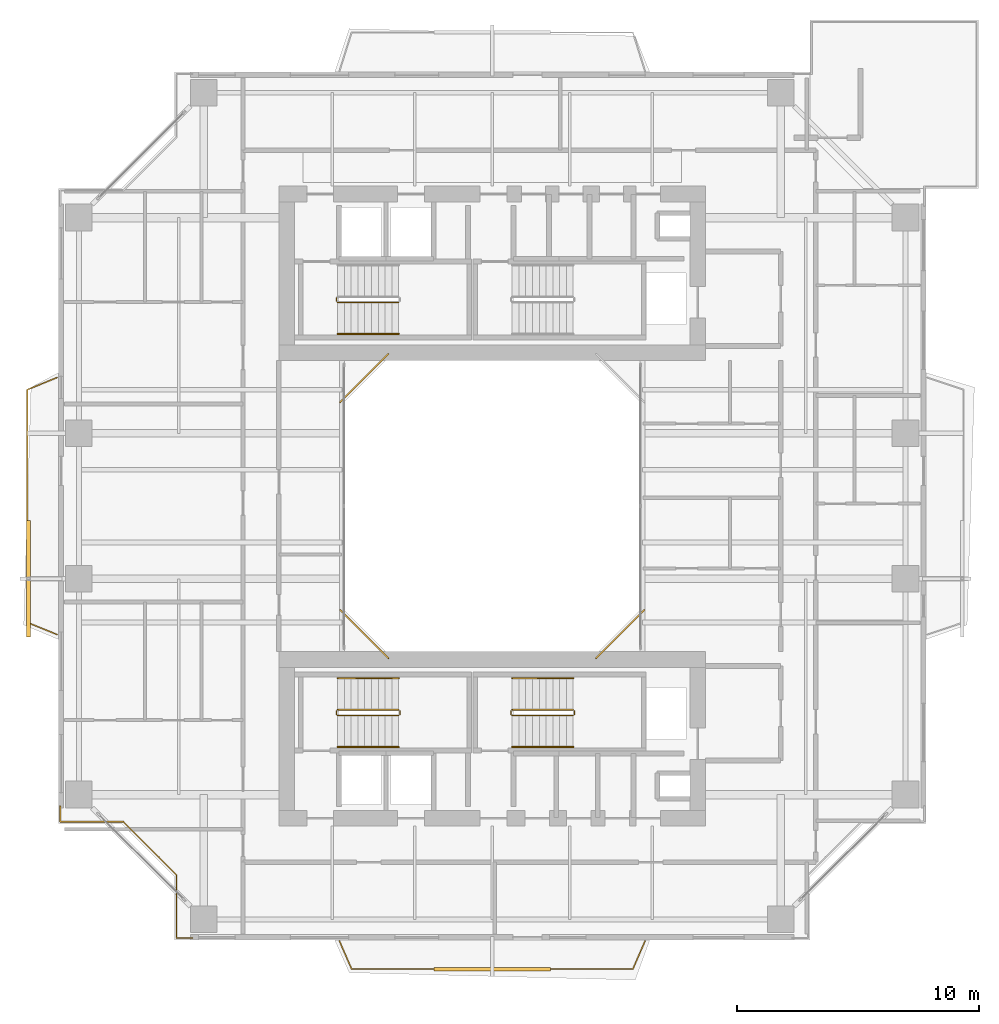
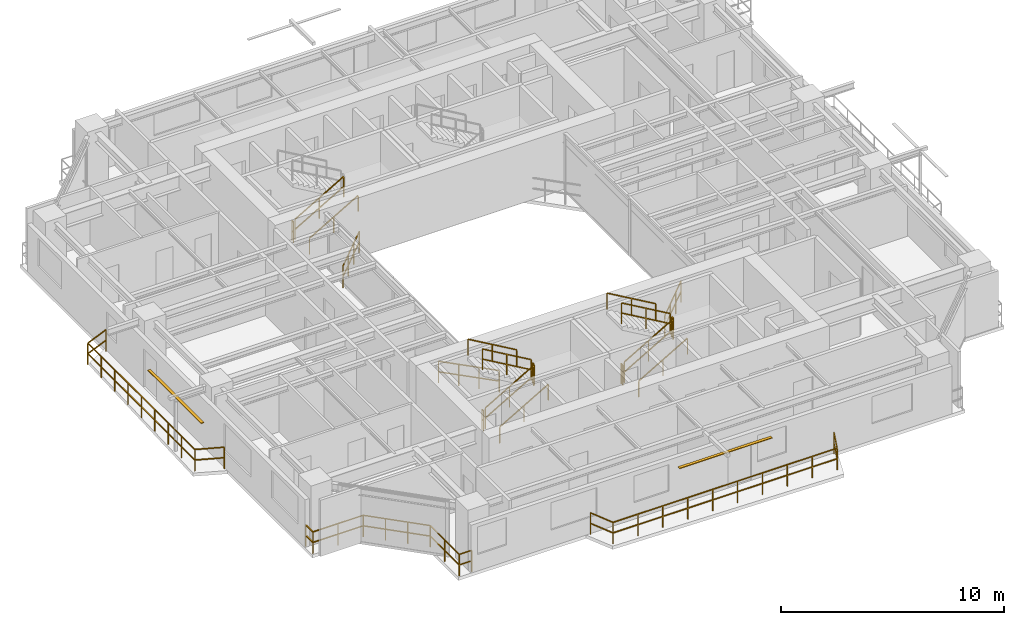
# One storey, part 15 of 17: 21 railings, 2 shading devices.
"""IFC4 building model written with IfcOpenShell, lengths in metres."""

from ifc_helpers import new_model, si_unit, direction, frame, origin, origin_2d, place, context, subcontext, project, spatial, rectangle, extrude, source, transform, mapped, material, material_profile, profile_set, type_object, element, save


model = new_model("IFC4")

# Units and contexts
model_context = context("Model", 3, precision=1e-05, world=origin(), true_north=direction((0.0, 1.0)))
body_context = subcontext(model_context, "Body", "Model", "MODEL_VIEW")
ifc_project = project(units=[si_unit("LENGTHUNIT", "METRE"), si_unit("AREAUNIT", "SQUARE_METRE"), si_unit("VOLUMEUNIT", "CUBIC_METRE"), si_unit("PLANEANGLEUNIT", "RADIAN"), si_unit("MASSUNIT", "GRAM", prefix="KILO"), si_unit("THERMODYNAMICTEMPERATUREUNIT", "KELVIN"), si_unit("POWERUNIT", "WATT")], contexts=[model_context])

# Site, building, storey
site_placement = place(None, origin())
site = spatial("IfcSite", under=ifc_project, at=site_placement, CompositionType="ELEMENT")
building_placement = place(site_placement, origin())
building = spatial("IfcBuilding", under=site, at=building_placement, Name="Qiaomeng Ring Towers", CompositionType="ELEMENT")
storey_placement = place(building_placement, frame((0.0, 0.0, 123.0)))
storey = spatial("IfcBuildingStorey", under=building, at=storey_placement, Name="L35", CompositionType="ELEMENT", Elevation=123.0)

# Railings
ifc_material_1 = material(Name="Low-E pale-green laminated safety glass", Category="glass")
railing_type_1 = type_object("IfcRailingType", Name="ARC-RL-BAL1", PredefinedType="BALUSTRADE", material=ifc_material_1)
railing_1_placement = place(storey_placement, frame((23.280029296875, 16.719970703125, 0.0)))
element("IfcRailing", 1, at=railing_1_placement, inside=storey, type_object=railing_type_1, Name="L35 Balustrade ARC-BAL-WELL1-L35-1", PredefinedType="BALUSTRADE", context=body_context, shape_type="SweptSolid", body=[
    extrude(rectangle(XDim=0.048095703125, YDim=0.048095703125, at=origin_2d()), frame((0.0, 0.0, 1.17578125), z_axis=(0.707106781187, 0.707106781187, 0.0), x_axis=(-0.707106781187, 0.707106781187, 0.0)), (0.0, 0.0, 1.0), 2.828369140625),
    extrude(rectangle(XDim=0.048095703125, YDim=0.048095703125, at=origin_2d()), frame((0.0, 0.0, 0.60009765625), z_axis=(0.707106781187, 0.707106781187, 0.0), x_axis=(-0.707106781187, 0.707106781187, 0.0)), (0.0, 0.0, 1.0), 2.828369140625),
    extrude(rectangle(XDim=0.0419921875, YDim=0.0419921875, at=origin_2d()), origin(), (0.0, 0.0, 1.0), 1.15185546875),
    extrude(rectangle(XDim=0.0419921875, YDim=0.0419921875, at=origin_2d()), frame((0.666748046875, 0.666748046875, 0.0)), (0.0, 0.0, 1.0), 1.15185546875),
    extrude(rectangle(XDim=0.0419921875, YDim=0.0419921875, at=origin_2d()), frame((1.333251953125, 1.333251953125, 0.0)), (0.0, 0.0, 1.0), 1.15185546875),
    extrude(rectangle(XDim=0.0419921875, YDim=0.0419921875, at=origin_2d()), frame((2.0, 2.0, 0.0)), (0.0, 0.0, 1.0), 1.15185546875),
])
railing_2_placement = place(storey_placement, frame((14.719970703125, 29.280029296875, 0.0)))
element("IfcRailing", 2, at=railing_2_placement, inside=storey, type_object=railing_type_1, Name="L35 Balustrade ARC-BAL-WELL1-L35-3", PredefinedType="BALUSTRADE", context=body_context, shape_type="SweptSolid", body=[
    extrude(rectangle(XDim=0.048095703125, YDim=0.048095703125, at=origin_2d()), frame((0.0, 0.0, 1.17578125), z_axis=(-0.707106781187, -0.707106781187, 0.0), x_axis=(0.707106781187, -0.707106781187, 0.0)), (0.0, 0.0, 1.0), 2.828369140625),
    extrude(rectangle(XDim=0.048095703125, YDim=0.048095703125, at=origin_2d()), frame((0.0, 0.0, 0.60009765625), z_axis=(-0.707106781187, -0.707106781187, 0.0), x_axis=(0.707106781187, -0.707106781187, 0.0)), (0.0, 0.0, 1.0), 2.828369140625),
    extrude(rectangle(XDim=0.0419921875, YDim=0.0419921875, at=origin_2d()), origin(), (0.0, 0.0, 1.0), 1.15185546875),
    extrude(rectangle(XDim=0.0419921875, YDim=0.0419921875, at=origin_2d()), frame((-0.666748046875, -0.666748046875, 0.0)), (0.0, 0.0, 1.0), 1.15185546875),
    extrude(rectangle(XDim=0.0419921875, YDim=0.0419921875, at=origin_2d()), frame((-1.333251953125, -1.333251953125, 0.0)), (0.0, 0.0, 1.0), 1.15185546875),
    extrude(rectangle(XDim=0.0419921875, YDim=0.0419921875, at=origin_2d()), frame((-2.0, -2.0, 0.0)), (0.0, 0.0, 1.0), 1.15185546875),
])
railing_3_placement = place(storey_placement, frame((12.719970703125, 18.719970703125, 0.0)))
element("IfcRailing", 3, at=railing_3_placement, inside=storey, type_object=railing_type_1, Name="L35 Balustrade ARC-BAL-WELL1-L35-4", PredefinedType="BALUSTRADE", context=body_context, shape_type="SweptSolid", body=[
    extrude(rectangle(XDim=0.048095703125, YDim=0.048095703125, at=origin_2d()), frame((0.0, 0.0, 1.17578125), z_axis=(0.707106781187, -0.707106781187, 0.0), x_axis=(0.707106781187, 0.707106781187, 0.0)), (0.0, 0.0, 1.0), 2.828369140625),
    extrude(rectangle(XDim=0.048095703125, YDim=0.048095703125, at=origin_2d()), frame((0.0, 0.0, 0.60009765625), z_axis=(0.707106781187, -0.707106781187, 0.0), x_axis=(0.707106781187, 0.707106781187, 0.0)), (0.0, 0.0, 1.0), 2.828369140625),
    extrude(rectangle(XDim=0.0419921875, YDim=0.0419921875, at=origin_2d()), origin(), (0.0, 0.0, 1.0), 1.15185546875),
    extrude(rectangle(XDim=0.0419921875, YDim=0.0419921875, at=origin_2d()), frame((0.666748046875, -0.666748046875, 0.0)), (0.0, 0.0, 1.0), 1.15185546875),
    extrude(rectangle(XDim=0.0419921875, YDim=0.0419921875, at=origin_2d()), frame((1.333251953125, -1.333251953125, 0.0)), (0.0, 0.0, 1.0), 1.15185546875),
    extrude(rectangle(XDim=0.0419921875, YDim=0.0419921875, at=origin_2d()), frame((2.0, -2.0, 0.0)), (0.0, 0.0, 1.0), 1.15185546875),
])
railing_4_placement = place(storey_placement, frame((1.179931640625, 10.6298828125, 0.0)))
element("IfcRailing", 4, at=railing_4_placement, inside=storey, type_object=railing_type_1, Name="L35 Balustrade ARC-BAL-NOTCH1-L35-SW", PredefinedType="BALUSTRADE", context=body_context, shape_type="SweptSolid", body=[
    extrude(rectangle(XDim=0.048095703125, YDim=0.048095703125, at=origin_2d()), frame((0.0, 0.0, 1.17578125), z_axis=(0.0, -1.0, 0.0), x_axis=(1.0, 0.0, 0.0)), (0.0, 0.0, 1.0), 0.64990234375),
    extrude(rectangle(XDim=0.048095703125, YDim=0.048095703125, at=origin_2d()), frame((0.0, 0.0, 0.60009765625), z_axis=(0.0, -1.0, 0.0), x_axis=(1.0, 0.0, 0.0)), (0.0, 0.0, 1.0), 0.64990234375),
    extrude(rectangle(XDim=0.048095703125, YDim=0.048095703125, at=origin_2d()), frame((0.0, -0.64990234375, 1.17578125), z_axis=(1.0, 0.0, 0.0), x_axis=(0.0, 1.0, 0.0)), (0.0, 0.0, 1.0), 2.60009765625),
    extrude(rectangle(XDim=0.048095703125, YDim=0.048095703125, at=origin_2d()), frame((0.0, -0.64990234375, 0.60009765625), z_axis=(1.0, 0.0, 0.0), x_axis=(0.0, 1.0, 0.0)), (0.0, 0.0, 1.0), 2.60009765625),
    extrude(rectangle(XDim=0.048095703125, YDim=0.048095703125, at=origin_2d()), frame((2.60009765625, -0.64990234375, 1.17578125), z_axis=(0.707106781187, -0.707106781187, 0.0), x_axis=(0.707106781187, 0.707106781187, 0.0)), (0.0, 0.0, 1.0), 3.111083984375),
    extrude(rectangle(XDim=0.048095703125, YDim=0.048095703125, at=origin_2d()), frame((2.60009765625, -0.64990234375, 0.60009765625), z_axis=(0.707106781187, -0.707106781187, 0.0), x_axis=(0.707106781187, 0.707106781187, 0.0)), (0.0, 0.0, 1.0), 3.111083984375),
    extrude(rectangle(XDim=0.048095703125, YDim=0.048095703125, at=origin_2d()), frame((4.800048828125, -2.849853515625, 1.17578125), z_axis=(0.0, -1.0, 0.0), x_axis=(1.0, 0.0, 0.0)), (0.0, 0.0, 1.0), 2.60009765625),
    extrude(rectangle(XDim=0.048095703125, YDim=0.048095703125, at=origin_2d()), frame((4.800048828125, -2.849853515625, 0.60009765625), z_axis=(0.0, -1.0, 0.0), x_axis=(1.0, 0.0, 0.0)), (0.0, 0.0, 1.0), 2.60009765625),
    extrude(rectangle(XDim=0.048095703125, YDim=0.048095703125, at=origin_2d()), frame((4.800048828125, -5.449951171875, 1.17578125), z_axis=(1.0, 0.0, 0.0), x_axis=(0.0, 1.0, 0.0)), (0.0, 0.0, 1.0), 0.64990234375),
    extrude(rectangle(XDim=0.048095703125, YDim=0.048095703125, at=origin_2d()), frame((4.800048828125, -5.449951171875, 0.60009765625), z_axis=(1.0, 0.0, 0.0), x_axis=(0.0, 1.0, 0.0)), (0.0, 0.0, 1.0), 0.64990234375),
    extrude(rectangle(XDim=0.0419921875, YDim=0.0419921875, at=origin_2d()), origin(), (0.0, 0.0, 1.0), 1.15185546875),
    extrude(rectangle(XDim=0.0419921875, YDim=0.0419921875, at=origin_2d()), frame((0.0, -0.64990234375, 0.0)), (0.0, 0.0, 1.0), 1.15185546875),
    extrude(rectangle(XDim=0.0419921875, YDim=0.0419921875, at=origin_2d()), frame((1.300048828125, -0.64990234375, 0.0)), (0.0, 0.0, 1.0), 1.15185546875),
    extrude(rectangle(XDim=0.0419921875, YDim=0.0419921875, at=origin_2d()), frame((2.60009765625, -0.64990234375, 0.0)), (0.0, 0.0, 1.0), 1.15185546875),
    extrude(rectangle(XDim=0.0419921875, YDim=0.0419921875, at=origin_2d()), frame((3.33349609375, -1.38330078125, 0.0)), (0.0, 0.0, 1.0), 1.15185546875),
    extrude(rectangle(XDim=0.0419921875, YDim=0.0419921875, at=origin_2d()), frame((4.066650390625, -2.116455078125, 0.0)), (0.0, 0.0, 1.0), 1.15185546875),
    extrude(rectangle(XDim=0.0419921875, YDim=0.0419921875, at=origin_2d()), frame((4.800048828125, -2.849853515625, 0.0)), (0.0, 0.0, 1.0), 1.15185546875),
    extrude(rectangle(XDim=0.0419921875, YDim=0.0419921875, at=origin_2d()), frame((4.800048828125, -4.14990234375, 0.0)), (0.0, 0.0, 1.0), 1.15185546875),
    extrude(rectangle(XDim=0.0419921875, YDim=0.0419921875, at=origin_2d()), frame((4.800048828125, -5.449951171875, 0.0)), (0.0, 0.0, 1.0), 1.15185546875),
    extrude(rectangle(XDim=0.0419921875, YDim=0.0419921875, at=origin_2d()), frame((5.449951171875, -5.449951171875, 0.0)), (0.0, 0.0, 1.0), 1.15185546875),
])
railing_5_placement = place(storey_placement, frame((12.699951171875, 5.050048828125, 0.0)))
element("IfcRailing", 5, at=railing_5_placement, inside=storey, type_object=railing_type_1, Name="L35 Balustrade ARC-BAL-L35-T1-S", PredefinedType="BALUSTRADE", context=body_context, shape_type="SweptSolid", body=[
    extrude(rectangle(XDim=0.048095703125, YDim=0.048095703125, at=origin_2d()), frame((0.0, 0.0, 1.17578125), z_axis=(0.39868340127, -0.917088624699, 0.0), x_axis=(0.917088624699, 0.39868340127, 0.0)), (0.0, 0.0, 1.0), 1.254150390625),
    extrude(rectangle(XDim=0.048095703125, YDim=0.048095703125, at=origin_2d()), frame((0.0, 0.0, 0.60009765625), z_axis=(0.39868340127, -0.917088624699, 0.0), x_axis=(0.917088624699, 0.39868340127, 0.0)), (0.0, 0.0, 1.0), 1.254150390625),
    extrude(rectangle(XDim=0.048095703125, YDim=0.048095703125, at=origin_2d()), frame((0.5, -1.150146484375, 1.17578125), z_axis=(1.0, 0.0, 0.0), x_axis=(0.0, 1.0, 0.0)), (0.0, 0.0, 1.0), 11.60009765625),
    extrude(rectangle(XDim=0.048095703125, YDim=0.048095703125, at=origin_2d()), frame((0.5, -1.150146484375, 0.60009765625), z_axis=(1.0, 0.0, 0.0), x_axis=(0.0, 1.0, 0.0)), (0.0, 0.0, 1.0), 11.60009765625),
    extrude(rectangle(XDim=0.048095703125, YDim=0.048095703125, at=origin_2d()), frame((12.10009765625, -1.150146484375, 1.17578125), z_axis=(0.39868340127, 0.917088624699, 0.0), x_axis=(-0.917088624699, 0.39868340127, 0.0)), (0.0, 0.0, 1.0), 1.254150390625),
    extrude(rectangle(XDim=0.048095703125, YDim=0.048095703125, at=origin_2d()), frame((12.10009765625, -1.150146484375, 0.60009765625), z_axis=(0.39868340127, 0.917088624699, 0.0), x_axis=(-0.917088624699, 0.39868340127, 0.0)), (0.0, 0.0, 1.0), 1.254150390625),
    extrude(rectangle(XDim=0.0419921875, YDim=0.0419921875, at=origin_2d()), origin(), (0.0, 0.0, 1.0), 1.15185546875),
    extrude(rectangle(XDim=0.0419921875, YDim=0.0419921875, at=origin_2d()), frame((0.5, -1.150146484375, 0.0)), (0.0, 0.0, 1.0), 1.15185546875),
    extrude(rectangle(XDim=0.0419921875, YDim=0.0419921875, at=origin_2d()), frame((1.788818359375, -1.150146484375, 0.0)), (0.0, 0.0, 1.0), 1.15185546875),
    extrude(rectangle(XDim=0.0419921875, YDim=0.0419921875, at=origin_2d()), frame((3.077880859375, -1.150146484375, 0.0)), (0.0, 0.0, 1.0), 1.15185546875),
    extrude(rectangle(XDim=0.0419921875, YDim=0.0419921875, at=origin_2d()), frame((4.36669921875, -1.150146484375, 0.0)), (0.0, 0.0, 1.0), 1.15185546875),
    extrude(rectangle(XDim=0.0419921875, YDim=0.0419921875, at=origin_2d()), frame((5.655517578125, -1.150146484375, 0.0)), (0.0, 0.0, 1.0), 1.15185546875),
    extrude(rectangle(XDim=0.0419921875, YDim=0.0419921875, at=origin_2d()), frame((6.944580078125, -1.150146484375, 0.0)), (0.0, 0.0, 1.0), 1.15185546875),
    extrude(rectangle(XDim=0.0419921875, YDim=0.0419921875, at=origin_2d()), frame((8.2333984375, -1.150146484375, 0.0)), (0.0, 0.0, 1.0), 1.15185546875),
    extrude(rectangle(XDim=0.0419921875, YDim=0.0419921875, at=origin_2d()), frame((9.522216796875, -1.150146484375, 0.0)), (0.0, 0.0, 1.0), 1.15185546875),
    extrude(rectangle(XDim=0.0419921875, YDim=0.0419921875, at=origin_2d()), frame((10.811279296875, -1.150146484375, 0.0)), (0.0, 0.0, 1.0), 1.15185546875),
    extrude(rectangle(XDim=0.0419921875, YDim=0.0419921875, at=origin_2d()), frame((12.10009765625, -1.150146484375, 0.0)), (0.0, 0.0, 1.0), 1.15185546875),
    extrude(rectangle(XDim=0.0419921875, YDim=0.0419921875, at=origin_2d()), frame((12.60009765625, 0.0, 0.0)), (0.0, 0.0, 1.0), 1.15185546875),
])
railing_6_placement = place(storey_placement, frame((1.050048828125, 17.699951171875, 0.0)))
element("IfcRailing", 6, at=railing_6_placement, inside=storey, type_object=railing_type_1, Name="L35 Balustrade ARC-BAL-L35-T1-W", PredefinedType="BALUSTRADE", context=body_context, shape_type="SweptSolid", body=[
    extrude(rectangle(XDim=0.048095703125, YDim=0.048095703125, at=origin_2d()), frame((0.0, 0.0, 1.17578125), z_axis=(-0.926382398109, 0.376584190418, 0.0), x_axis=(-0.376584190418, -0.926382398109, 0.0)), (0.0, 0.0, 1.0), 1.32763671875),
    extrude(rectangle(XDim=0.048095703125, YDim=0.048095703125, at=origin_2d()), frame((0.0, 0.0, 0.60009765625), z_axis=(-0.926382398109, 0.376584190418, 0.0), x_axis=(-0.376584190418, -0.926382398109, 0.0)), (0.0, 0.0, 1.0), 1.32763671875),
    extrude(rectangle(XDim=0.048095703125, YDim=0.048095703125, at=origin_2d()), frame((-1.22998046875, 0.5, 1.17578125), z_axis=(0.0, 1.0, 0.0), x_axis=(-1.0, 0.0, 0.0)), (0.0, 0.0, 1.0), 9.60009765625),
    extrude(rectangle(XDim=0.048095703125, YDim=0.048095703125, at=origin_2d()), frame((-1.22998046875, 0.5, 0.60009765625), z_axis=(0.0, 1.0, 0.0), x_axis=(-1.0, 0.0, 0.0)), (0.0, 0.0, 1.0), 9.60009765625),
    extrude(rectangle(XDim=0.048095703125, YDim=0.048095703125, at=origin_2d()), frame((-1.22998046875, 10.10009765625, 1.17578125), z_axis=(0.926382398109, 0.376584190418, 0.0), x_axis=(-0.376584190418, 0.926382398109, 0.0)), (0.0, 0.0, 1.0), 1.32763671875),
    extrude(rectangle(XDim=0.048095703125, YDim=0.048095703125, at=origin_2d()), frame((-1.22998046875, 10.10009765625, 0.60009765625), z_axis=(0.926382398109, 0.376584190418, 0.0), x_axis=(-0.376584190418, 0.926382398109, 0.0)), (0.0, 0.0, 1.0), 1.32763671875),
    extrude(rectangle(XDim=0.0419921875, YDim=0.0419921875, at=origin_2d()), origin(), (0.0, 0.0, 1.0), 1.15185546875),
    extrude(rectangle(XDim=0.0419921875, YDim=0.0419921875, at=origin_2d()), frame((-1.22998046875, 0.5, 0.0)), (0.0, 0.0, 1.0), 1.15185546875),
    extrude(rectangle(XDim=0.0419921875, YDim=0.0419921875, at=origin_2d()), frame((-1.22998046875, 1.699951171875, 0.0)), (0.0, 0.0, 1.0), 1.15185546875),
    extrude(rectangle(XDim=0.0419921875, YDim=0.0419921875, at=origin_2d()), frame((-1.22998046875, 2.89990234375, 0.0)), (0.0, 0.0, 1.0), 1.15185546875),
    extrude(rectangle(XDim=0.0419921875, YDim=0.0419921875, at=origin_2d()), frame((-1.22998046875, 4.10009765625, 0.0)), (0.0, 0.0, 1.0), 1.15185546875),
    extrude(rectangle(XDim=0.0419921875, YDim=0.0419921875, at=origin_2d()), frame((-1.22998046875, 5.300048828125, 0.0)), (0.0, 0.0, 1.0), 1.15185546875),
    extrude(rectangle(XDim=0.0419921875, YDim=0.0419921875, at=origin_2d()), frame((-1.22998046875, 6.5, 0.0)), (0.0, 0.0, 1.0), 1.15185546875),
    extrude(rectangle(XDim=0.0419921875, YDim=0.0419921875, at=origin_2d()), frame((-1.22998046875, 7.7001953125, 0.0)), (0.0, 0.0, 1.0), 1.15185546875),
    extrude(rectangle(XDim=0.0419921875, YDim=0.0419921875, at=origin_2d()), frame((-1.22998046875, 8.900146484375, 0.0)), (0.0, 0.0, 1.0), 1.15185546875),
    extrude(rectangle(XDim=0.0419921875, YDim=0.0419921875, at=origin_2d()), frame((-1.22998046875, 10.10009765625, 0.0)), (0.0, 0.0, 1.0), 1.15185546875),
    extrude(rectangle(XDim=0.0419921875, YDim=0.0419921875, at=origin_2d()), frame((0.0, 10.60009765625, 0.0)), (0.0, 0.0, 1.0), 1.15185546875),
])
ifc_material_2 = material(Name="Galvanised steel", Category="steel")
railing_type_2 = type_object("IfcRailingType", Name="ARC-RL-GUARD", PredefinedType="GUARDRAIL", material=ifc_material_2)
railing_7_placement = place(storey_placement, frame((12.6201171875, 31.39990234375, 0.16259765625)))
element("IfcRailing", 7, at=railing_7_placement, inside=storey, type_object=railing_type_2, Name="L35 ST1 stair guard 1", PredefinedType="GUARDRAIL", context=body_context, shape_type="SweptSolid", body=[
    extrude(rectangle(XDim=0.048095703125, YDim=0.048095703125, at=origin_2d()), frame((0.0, 0.0, 1.1259765625), z_axis=(0.864892226395, 0.0, 0.501957604506), x_axis=(0.0, 1.0, 0.0)), (0.0, 0.0, 1.0), 2.913330078125),
    extrude(rectangle(XDim=0.048095703125, YDim=0.048095703125, at=origin_2d()), frame((0.0, 0.0, 0.574951171875), z_axis=(0.864892226395, 0.0, 0.501957604506), x_axis=(0.0, 1.0, 0.0)), (0.0, 0.0, 1.0), 2.913330078125),
    extrude(rectangle(XDim=0.0419921875, YDim=0.0419921875, at=origin_2d()), origin(), (0.0, 0.0, 1.0), 1.101806640625),
    extrude(rectangle(XDim=0.0419921875, YDim=0.0419921875, at=origin_2d()), frame((1.259765625, 0.0, 0.731201171875)), (0.0, 0.0, 1.0), 1.101806640625),
    extrude(rectangle(XDim=0.0419921875, YDim=0.0419921875, at=origin_2d()), frame((2.519775390625, 0.0, 1.46240234375)), (0.0, 0.0, 1.0), 1.101806640625),
])
railing_8_placement = place(storey_placement, frame((12.570068359375, 31.449951171875, 0.0)))
element("IfcRailing", 8, at=railing_8_placement, inside=storey, type_object=railing_type_2, Name="L35 ST1 stair guard 4", PredefinedType="GUARDRAIL", context=body_context, shape_type="SweptSolid", body=[
    extrude(rectangle(XDim=0.048095703125, YDim=0.048095703125, at=origin_2d()), frame((0.0, 0.0, 1.1259765625), z_axis=(0.0, 1.0, 0.0), x_axis=(-1.0, 0.0, 0.0)), (0.0, 0.0, 1.0), 0.14013671875),
    extrude(rectangle(XDim=0.048095703125, YDim=0.048095703125, at=origin_2d()), frame((0.0, 0.0, 0.574951171875), z_axis=(0.0, 1.0, 0.0), x_axis=(-1.0, 0.0, 0.0)), (0.0, 0.0, 1.0), 0.14013671875),
    extrude(rectangle(XDim=0.0419921875, YDim=0.0419921875, at=origin_2d()), origin(), (0.0, 0.0, 1.0), 1.101806640625),
    extrude(rectangle(XDim=0.0419921875, YDim=0.0419921875, at=origin_2d()), frame((0.0, 0.14013671875, 0.0)), (0.0, 0.0, 1.0), 1.101806640625),
])
railing_9_placement = place(storey_placement, frame((12.6201171875, 14.360107421875, 0.16259765625)))
element("IfcRailing", 9, at=railing_9_placement, inside=storey, type_object=railing_type_2, Name="L35 ST3 stair guard 1", PredefinedType="GUARDRAIL", context=body_context, shape_type="SweptSolid", body=[
    extrude(rectangle(XDim=0.048095703125, YDim=0.048095703125, at=origin_2d()), frame((0.0, 0.0, 1.1259765625), z_axis=(0.864892226395, 0.0, 0.501957604506), x_axis=(0.0, 1.0, 0.0)), (0.0, 0.0, 1.0), 2.913330078125),
    extrude(rectangle(XDim=0.048095703125, YDim=0.048095703125, at=origin_2d()), frame((0.0, 0.0, 0.574951171875), z_axis=(0.864892226395, 0.0, 0.501957604506), x_axis=(0.0, 1.0, 0.0)), (0.0, 0.0, 1.0), 2.913330078125),
    extrude(rectangle(XDim=0.0419921875, YDim=0.0419921875, at=origin_2d()), origin(), (0.0, 0.0, 1.0), 1.101806640625),
    extrude(rectangle(XDim=0.0419921875, YDim=0.0419921875, at=origin_2d()), frame((1.259765625, 0.0, 0.731201171875)), (0.0, 0.0, 1.0), 1.101806640625),
    extrude(rectangle(XDim=0.0419921875, YDim=0.0419921875, at=origin_2d()), frame((2.519775390625, 0.0, 1.46240234375)), (0.0, 0.0, 1.0), 1.101806640625),
])
railing_10_placement = place(storey_placement, frame((15.18994140625, 14.409912109375, 1.625)))
element("IfcRailing", 10, at=railing_10_placement, inside=storey, type_object=railing_type_2, Name="L35 ST3 stair guard 2", PredefinedType="GUARDRAIL", context=body_context, shape_type="SweptSolid", body=[
    extrude(rectangle(XDim=0.048095703125, YDim=0.048095703125, at=origin_2d()), frame((0.0, 0.0, 1.1259765625), z_axis=(0.0, 1.0, 0.0), x_axis=(-1.0, 0.0, 0.0)), (0.0, 0.0, 1.0), 0.14013671875),
    extrude(rectangle(XDim=0.048095703125, YDim=0.048095703125, at=origin_2d()), frame((0.0, 0.0, 0.574951171875), z_axis=(0.0, 1.0, 0.0), x_axis=(-1.0, 0.0, 0.0)), (0.0, 0.0, 1.0), 0.14013671875),
    extrude(rectangle(XDim=0.0419921875, YDim=0.0419921875, at=origin_2d()), origin(), (0.0, 0.0, 1.0), 1.101806640625),
    extrude(rectangle(XDim=0.0419921875, YDim=0.0419921875, at=origin_2d()), frame((0.0, 0.14013671875, 0.0)), (0.0, 0.0, 1.0), 1.101806640625),
])
railing_11_placement = place(storey_placement, frame((15.139892578125, 14.60009765625, 1.78759765625)))
element("IfcRailing", 11, at=railing_11_placement, inside=storey, type_object=railing_type_2, Name="L35 ST3 stair guard 3", PredefinedType="GUARDRAIL", context=body_context, shape_type="SweptSolid", body=[
    extrude(rectangle(XDim=0.048095703125, YDim=0.048095703125, at=origin_2d()), frame((0.0, 0.0, 1.1259765625), z_axis=(-0.864892226395, 0.0, 0.501957604506), x_axis=(0.0, -1.0, 0.0)), (0.0, 0.0, 1.0), 2.913330078125),
    extrude(rectangle(XDim=0.048095703125, YDim=0.048095703125, at=origin_2d()), frame((0.0, 0.0, 0.574951171875), z_axis=(-0.864892226395, 0.0, 0.501957604506), x_axis=(0.0, -1.0, 0.0)), (0.0, 0.0, 1.0), 2.913330078125),
    extrude(rectangle(XDim=0.0419921875, YDim=0.0419921875, at=origin_2d()), origin(), (0.0, 0.0, 1.0), 1.101806640625),
    extrude(rectangle(XDim=0.0419921875, YDim=0.0419921875, at=origin_2d()), frame((-1.259765625, 0.0, 0.731201171875)), (0.0, 0.0, 1.0), 1.101806640625),
    extrude(rectangle(XDim=0.0419921875, YDim=0.0419921875, at=origin_2d()), frame((-2.519775390625, 0.0, 1.46240234375)), (0.0, 0.0, 1.0), 1.101806640625),
])
railing_12_placement = place(storey_placement, frame((12.570068359375, 14.409912109375, 0.0)))
element("IfcRailing", 12, at=railing_12_placement, inside=storey, type_object=railing_type_2, Name="L35 ST3 stair guard 4", PredefinedType="GUARDRAIL", context=body_context, shape_type="SweptSolid", body=[
    extrude(rectangle(XDim=0.048095703125, YDim=0.048095703125, at=origin_2d()), frame((0.0, 0.0, 1.1259765625), z_axis=(0.0, 1.0, 0.0), x_axis=(-1.0, 0.0, 0.0)), (0.0, 0.0, 1.0), 0.14013671875),
    extrude(rectangle(XDim=0.048095703125, YDim=0.048095703125, at=origin_2d()), frame((0.0, 0.0, 0.574951171875), z_axis=(0.0, 1.0, 0.0), x_axis=(-1.0, 0.0, 0.0)), (0.0, 0.0, 1.0), 0.14013671875),
    extrude(rectangle(XDim=0.0419921875, YDim=0.0419921875, at=origin_2d()), origin(), (0.0, 0.0, 1.0), 1.101806640625),
    extrude(rectangle(XDim=0.0419921875, YDim=0.0419921875, at=origin_2d()), frame((0.0, 0.14013671875, 0.0)), (0.0, 0.0, 1.0), 1.101806640625),
])
railing_13_placement = place(storey_placement, frame((19.820068359375, 14.360107421875, 0.16259765625)))
element("IfcRailing", 13, at=railing_13_placement, inside=storey, type_object=railing_type_2, Name="L35 ST4 stair guard 1", PredefinedType="GUARDRAIL", context=body_context, shape_type="SweptSolid", body=[
    extrude(rectangle(XDim=0.048095703125, YDim=0.048095703125, at=origin_2d()), frame((0.0, 0.0, 1.1259765625), z_axis=(0.864913338283, 0.0, 0.50192122615), x_axis=(0.0, 1.0, 0.0)), (0.0, 0.0, 1.0), 2.91357421875),
    extrude(rectangle(XDim=0.048095703125, YDim=0.048095703125, at=origin_2d()), frame((0.0, 0.0, 0.574951171875), z_axis=(0.864913338283, 0.0, 0.50192122615), x_axis=(0.0, 1.0, 0.0)), (0.0, 0.0, 1.0), 2.91357421875),
    extrude(rectangle(XDim=0.0419921875, YDim=0.0419921875, at=origin_2d()), origin(), (0.0, 0.0, 1.0), 1.101806640625),
    extrude(rectangle(XDim=0.0419921875, YDim=0.0419921875, at=origin_2d()), frame((1.260009765625, 0.0, 0.731201171875)), (0.0, 0.0, 1.0), 1.101806640625),
    extrude(rectangle(XDim=0.0419921875, YDim=0.0419921875, at=origin_2d()), frame((2.52001953125, 0.0, 1.46240234375)), (0.0, 0.0, 1.0), 1.101806640625),
])
railing_14_placement = place(storey_placement, frame((22.389892578125, 14.409912109375, 1.625)))
element("IfcRailing", 14, at=railing_14_placement, inside=storey, type_object=railing_type_2, Name="L35 ST4 stair guard 2", PredefinedType="GUARDRAIL", context=body_context, shape_type="SweptSolid", body=[
    extrude(rectangle(XDim=0.048095703125, YDim=0.048095703125, at=origin_2d()), frame((0.0, 0.0, 1.1259765625), z_axis=(0.0, 1.0, 0.0), x_axis=(-1.0, 0.0, 0.0)), (0.0, 0.0, 1.0), 0.14013671875),
    extrude(rectangle(XDim=0.048095703125, YDim=0.048095703125, at=origin_2d()), frame((0.0, 0.0, 0.574951171875), z_axis=(0.0, 1.0, 0.0), x_axis=(-1.0, 0.0, 0.0)), (0.0, 0.0, 1.0), 0.14013671875),
    extrude(rectangle(XDim=0.0419921875, YDim=0.0419921875, at=origin_2d()), origin(), (0.0, 0.0, 1.0), 1.101806640625),
    extrude(rectangle(XDim=0.0419921875, YDim=0.0419921875, at=origin_2d()), frame((0.0, 0.14013671875, 0.0)), (0.0, 0.0, 1.0), 1.101806640625),
])
railing_15_placement = place(storey_placement, frame((22.340087890625, 14.60009765625, 1.78759765625)))
element("IfcRailing", 15, at=railing_15_placement, inside=storey, type_object=railing_type_2, Name="L35 ST4 stair guard 3", PredefinedType="GUARDRAIL", context=body_context, shape_type="SweptSolid", body=[
    extrude(rectangle(XDim=0.048095703125, YDim=0.048095703125, at=origin_2d()), frame((0.0, 0.0, 1.1259765625), z_axis=(-0.864913338283, 0.0, 0.50192122615), x_axis=(0.0, -1.0, 0.0)), (0.0, 0.0, 1.0), 2.91357421875),
    extrude(rectangle(XDim=0.048095703125, YDim=0.048095703125, at=origin_2d()), frame((0.0, 0.0, 0.574951171875), z_axis=(-0.864913338283, 0.0, 0.50192122615), x_axis=(0.0, -1.0, 0.0)), (0.0, 0.0, 1.0), 2.91357421875),
    extrude(rectangle(XDim=0.0419921875, YDim=0.0419921875, at=origin_2d()), origin(), (0.0, 0.0, 1.0), 1.101806640625),
    extrude(rectangle(XDim=0.0419921875, YDim=0.0419921875, at=origin_2d()), frame((-1.260009765625, 0.0, 0.731201171875)), (0.0, 0.0, 1.0), 1.101806640625),
    extrude(rectangle(XDim=0.0419921875, YDim=0.0419921875, at=origin_2d()), frame((-2.52001953125, 0.0, 1.46240234375)), (0.0, 0.0, 1.0), 1.101806640625),
])
railing_16_placement = place(storey_placement, frame((19.77001953125, 14.409912109375, 0.0)))
element("IfcRailing", 16, at=railing_16_placement, inside=storey, type_object=railing_type_2, Name="L35 ST4 stair guard 4", PredefinedType="GUARDRAIL", context=body_context, shape_type="SweptSolid", body=[
    extrude(rectangle(XDim=0.048095703125, YDim=0.048095703125, at=origin_2d()), frame((0.0, 0.0, 1.1259765625), z_axis=(0.0, 1.0, 0.0), x_axis=(-1.0, 0.0, 0.0)), (0.0, 0.0, 1.0), 0.14013671875),
    extrude(rectangle(XDim=0.048095703125, YDim=0.048095703125, at=origin_2d()), frame((0.0, 0.0, 0.574951171875), z_axis=(0.0, 1.0, 0.0), x_axis=(-1.0, 0.0, 0.0)), (0.0, 0.0, 1.0), 0.14013671875),
    extrude(rectangle(XDim=0.0419921875, YDim=0.0419921875, at=origin_2d()), origin(), (0.0, 0.0, 1.0), 1.101806640625),
    extrude(rectangle(XDim=0.0419921875, YDim=0.0419921875, at=origin_2d()), frame((0.0, 0.14013671875, 0.0)), (0.0, 0.0, 1.0), 1.101806640625),
])
ifc_material_3 = material(Name="Stainless steel 316", Category="steel")
railing_type_3 = type_object("IfcRailingType", Name="ARC-RL-HAND", PredefinedType="HANDRAIL", material=ifc_material_3)
for number, where, name in (
    (17, (12.6201171875, 30.10009765625, 0.16259765625), "L35 ST1 stair handrail 1"),
    (18, (12.6201171875, 13.06005859375, 0.16259765625), "L35 ST3 stair handrail 1"),
):
    element("IfcRailing", number, at=place(storey_placement, frame(where)), inside=storey, type_object=railing_type_3, Name=name, PredefinedType="HANDRAIL", context=body_context, shape_type="SweptSolid", body=[
        extrude(rectangle(XDim=0.048095703125, YDim=0.048095703125, at=origin_2d()), frame((0.0, 0.0, 0.8759765625), z_axis=(0.864892226395, 0.0, 0.501957604506), x_axis=(0.0, 1.0, 0.0)), (0.0, 0.0, 1.0), 2.913330078125),
        extrude(rectangle(XDim=0.0419921875, YDim=0.0419921875, at=origin_2d()), origin(), (0.0, 0.0, 1.0), 0.851806640625),
        extrude(rectangle(XDim=0.0419921875, YDim=0.0419921875, at=origin_2d()), frame((1.259765625, 0.0, 0.731201171875)), (0.0, 0.0, 1.0), 0.851806640625),
        extrude(rectangle(XDim=0.0419921875, YDim=0.0419921875, at=origin_2d()), frame((2.519775390625, 0.0, 1.46240234375)), (0.0, 0.0, 1.0), 0.851806640625),
    ])
railing_17_placement = place(storey_placement, frame((15.139892578125, 15.89990234375, 1.78759765625)))
element("IfcRailing", 19, at=railing_17_placement, inside=storey, type_object=railing_type_3, Name="L35 ST3 stair handrail 2", PredefinedType="HANDRAIL", context=body_context, shape_type="SweptSolid", body=[
    extrude(rectangle(XDim=0.048095703125, YDim=0.048095703125, at=origin_2d()), frame((0.0, 0.0, 0.8759765625), z_axis=(-0.864892226395, 0.0, 0.501957604506), x_axis=(0.0, -1.0, 0.0)), (0.0, 0.0, 1.0), 2.913330078125),
    extrude(rectangle(XDim=0.0419921875, YDim=0.0419921875, at=origin_2d()), origin(), (0.0, 0.0, 1.0), 0.851806640625),
    extrude(rectangle(XDim=0.0419921875, YDim=0.0419921875, at=origin_2d()), frame((-1.259765625, 0.0, 0.731201171875)), (0.0, 0.0, 1.0), 0.851806640625),
    extrude(rectangle(XDim=0.0419921875, YDim=0.0419921875, at=origin_2d()), frame((-2.519775390625, 0.0, 1.46240234375)), (0.0, 0.0, 1.0), 0.851806640625),
])
railing_18_placement = place(storey_placement, frame((19.820068359375, 13.06005859375, 0.16259765625)))
element("IfcRailing", 20, at=railing_18_placement, inside=storey, type_object=railing_type_3, Name="L35 ST4 stair handrail 1", PredefinedType="HANDRAIL", context=body_context, shape_type="SweptSolid", body=[
    extrude(rectangle(XDim=0.048095703125, YDim=0.048095703125, at=origin_2d()), frame((0.0, 0.0, 0.8759765625), z_axis=(0.864913338283, 0.0, 0.50192122615), x_axis=(0.0, 1.0, 0.0)), (0.0, 0.0, 1.0), 2.91357421875),
    extrude(rectangle(XDim=0.0419921875, YDim=0.0419921875, at=origin_2d()), origin(), (0.0, 0.0, 1.0), 0.851806640625),
    extrude(rectangle(XDim=0.0419921875, YDim=0.0419921875, at=origin_2d()), frame((1.260009765625, 0.0, 0.731201171875)), (0.0, 0.0, 1.0), 0.851806640625),
    extrude(rectangle(XDim=0.0419921875, YDim=0.0419921875, at=origin_2d()), frame((2.52001953125, 0.0, 1.46240234375)), (0.0, 0.0, 1.0), 0.851806640625),
])
railing_19_placement = place(storey_placement, frame((22.340087890625, 15.89990234375, 1.78759765625)))
element("IfcRailing", 21, at=railing_19_placement, inside=storey, type_object=railing_type_3, Name="L35 ST4 stair handrail 2", PredefinedType="HANDRAIL", context=body_context, shape_type="SweptSolid", body=[
    extrude(rectangle(XDim=0.048095703125, YDim=0.048095703125, at=origin_2d()), frame((0.0, 0.0, 0.8759765625), z_axis=(-0.864913338283, 0.0, 0.50192122615), x_axis=(0.0, -1.0, 0.0)), (0.0, 0.0, 1.0), 2.91357421875),
    extrude(rectangle(XDim=0.0419921875, YDim=0.0419921875, at=origin_2d()), origin(), (0.0, 0.0, 1.0), 0.851806640625),
    extrude(rectangle(XDim=0.0419921875, YDim=0.0419921875, at=origin_2d()), frame((-1.260009765625, 0.0, 0.731201171875)), (0.0, 0.0, 1.0), 0.851806640625),
    extrude(rectangle(XDim=0.0419921875, YDim=0.0419921875, at=origin_2d()), frame((-2.52001953125, 0.0, 1.46240234375)), (0.0, 0.0, 1.0), 0.851806640625),
])

# Shading devices
ifc_material_4 = material(Name="Fluorocarbon dark-grey aluminium", Category="aluminium")
ifc_material_profile = material_profile(ifc_material_4, rectangle(XDim=0.14990234375, YDim=0.034912109375, at=origin_2d()), Name="LV BLADE 150x35")
ifc_profile_set = profile_set([ifc_material_profile], Name="Fluorocarbon dark-grey aluminium")
shading_device_type = type_object("IfcShadingDeviceType", Name="ARC-SHD-SUN", PredefinedType="AWNING", material=ifc_profile_set)
shared_shape = source(origin(), body_context, "Body", "SweptSolid", [
    extrude(rectangle(XDim=0.14990234375, YDim=0.034912109375, at=origin_2d()), origin(), (0.0, 0.0, 1.0), 4.7998046875),
])
for number, where, z_axis, x_axis, name in (
    (22, (16.60009765625, 3.89990234375, 2.969970703125), (1.0, 0.0, 0.0), (0.0, 1.0, 0.0), "L35 Ventilated Outer-Skin Sunshade S"),
    (23, (-0.1298828125, 17.60009765625, 2.969970703125), (0.0, 1.0, 0.0), (-1.0, 0.0, 0.0), "L35 Ventilated Outer-Skin Sunshade W"),
):
    element("IfcShadingDevice", number, at=place(storey_placement, frame(where, z_axis=z_axis, x_axis=x_axis)), inside=storey, type_object=shading_device_type, Name=name, PredefinedType="AWNING", context=body_context, shape_type="MappedRepresentation", body=[
        mapped(shared_shape, transform((0.0, 0.0, 0.0), x_axis=(1.0, 0.0, 0.0), y_axis=(0.0, 1.0, 0.0), z_axis=(0.0, 0.0, 1.0), scale=1.0)),
    ])

save(model, "model.ifc")
